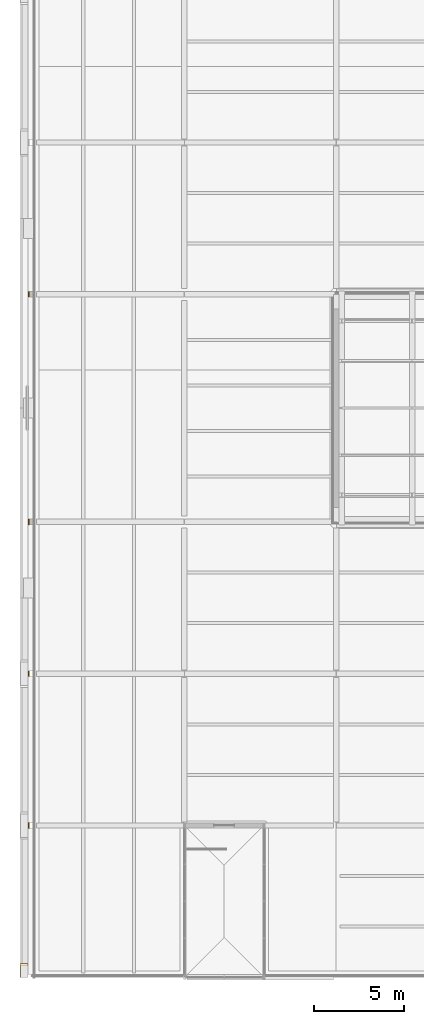
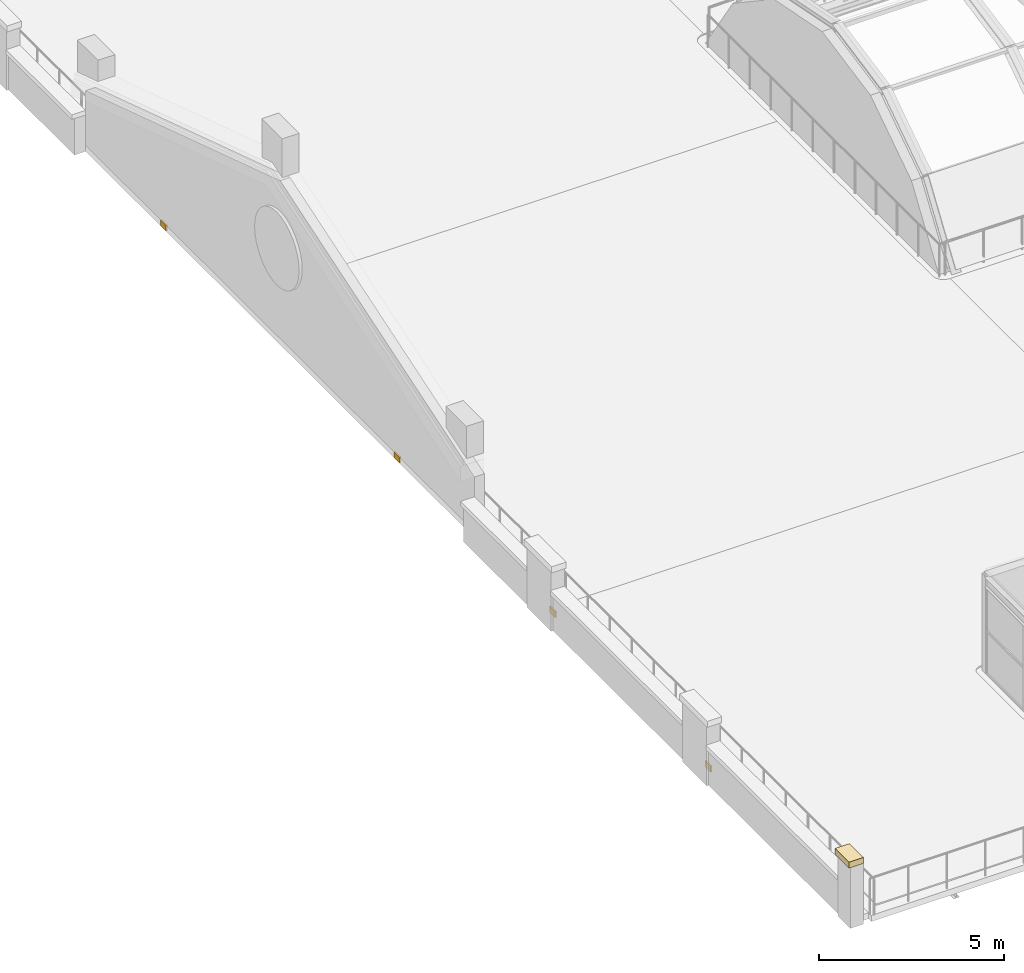
# One storey, part 56 of 58: 5 coverings.
"""IFC4 building model written with IfcOpenShell, lengths in metres."""

from ifc_helpers import new_model, si_unit, direction, frame, origin, origin_2d, place, context, subcontext, project, spatial, rectangle, extrude, material, layer, layer_set, type_object, element, save


model = new_model("IFC4")

# Units and contexts
model_context = context("Model", 3, precision=1e-05, world=origin(), true_north=direction((0.0, 1.0)))
body_context = subcontext(model_context, "Body", "Model", "MODEL_VIEW")
ifc_project = project(units=[si_unit("LENGTHUNIT", "METRE"), si_unit("AREAUNIT", "SQUARE_METRE"), si_unit("VOLUMEUNIT", "CUBIC_METRE"), si_unit("PLANEANGLEUNIT", "RADIAN"), si_unit("MASSUNIT", "GRAM", prefix="KILO")], contexts=[model_context])

# Site, building, storey
site_placement = place(None, origin())
site = spatial("IfcSite", under=ifc_project, at=site_placement, CompositionType="ELEMENT")
building_placement = place(site_placement, origin())
building = spatial("IfcBuilding", under=site, at=building_placement, Name="Galleria Vessillo Department Store", CompositionType="ELEMENT")
storey_placement = place(building_placement, frame((0.0, 0.0, 31.199951171875)))
storey = spatial("IfcBuildingStorey", under=building, at=storey_placement, Name="L06", CompositionType="ELEMENT", Elevation=31.199951171875)

# Coverings
ifc_material_1 = material(Name="Botticino limestone ashlar", Category="masonry")
ifc_layer_1 = layer(ifc_material_1, 0.449951171875)
ifc_layer_set_1 = layer_set([ifc_layer_1], Name="Botticino limestone ashlar")
covering_type_1 = type_object("IfcCoveringType", Name="Limestone pier cap 1500 x 450 x 200", PredefinedType="MOLDING", material=ifc_layer_set_1)
covering_placement = place(storey_placement, frame((-0.47509765625, 0.375, 1.80029296875), z_axis=(0.0, 0.0, 1.0), x_axis=(1.0, 0.0, 0.0)))
element("IfcCovering", 1, at=covering_placement, inside=storey, type_object=covering_type_1, Name="Attic pier cap W y=0.0", PredefinedType="MOLDING", context=body_context, shape_type="SweptSolid", body=[
    extrude(rectangle(XDim=0.449951171875, YDim=0.75, at=origin_2d()), origin(), (0.0, 0.0, 1.0), 0.199951171875),
])
ifc_material_2 = material(Name="Botticino limestone ashlar", Category="masonry")
ifc_layer_2 = layer(ifc_material_2, 0.14990234375)
ifc_layer_set_2 = layer_set([ifc_layer_2], Name="Botticino limestone ashlar")
covering_type_2 = type_object("IfcCoveringType", Name="Limestone slab-edge fascia 150 mm", PredefinedType="CLADDING", material=ifc_layer_set_2)
for number, where, z_axis, x_axis, name in (
    (2, (-0.22509765625, 8.39990234375, -0.19970703125), (0.0, 0.0, 1.0), (1.0, 0.0, 0.0), "Joint block Slab-edge fascia SW-L05-01"),
    (3, (-0.22509765625, 16.800048828125, -0.19970703125), (0.0, 0.0, 1.0), (1.0, 0.0, 0.0), "Joint block Slab-edge fascia SW-L05-02"),
    (4, (-0.22509765625, 25.199951171875, -0.19970703125), (0.0, 0.0, 1.0), (1.0, 0.0, 0.0), "Joint block Slab-edge fascia SW-L05-03"),
    (5, (-0.22509765625, 37.800048828125, -0.19970703125), (0.0, 0.0, 1.0), (1.0, 0.0, 0.0), "Joint block Slab-edge fascia SW-L05-04"),
):
    element("IfcCovering", number, at=place(storey_placement, frame(where, z_axis=z_axis, x_axis=x_axis)), inside=storey, type_object=covering_type_2, Name=name, PredefinedType="CLADDING", context=body_context, shape_type="SweptSolid", body=[
        extrude(rectangle(XDim=0.050048828125, YDim=0.300048828125, at=origin_2d()), origin(), (0.0, 0.0, 1.0), 0.199951171875),
    ])

save(model, "model.ifc")
